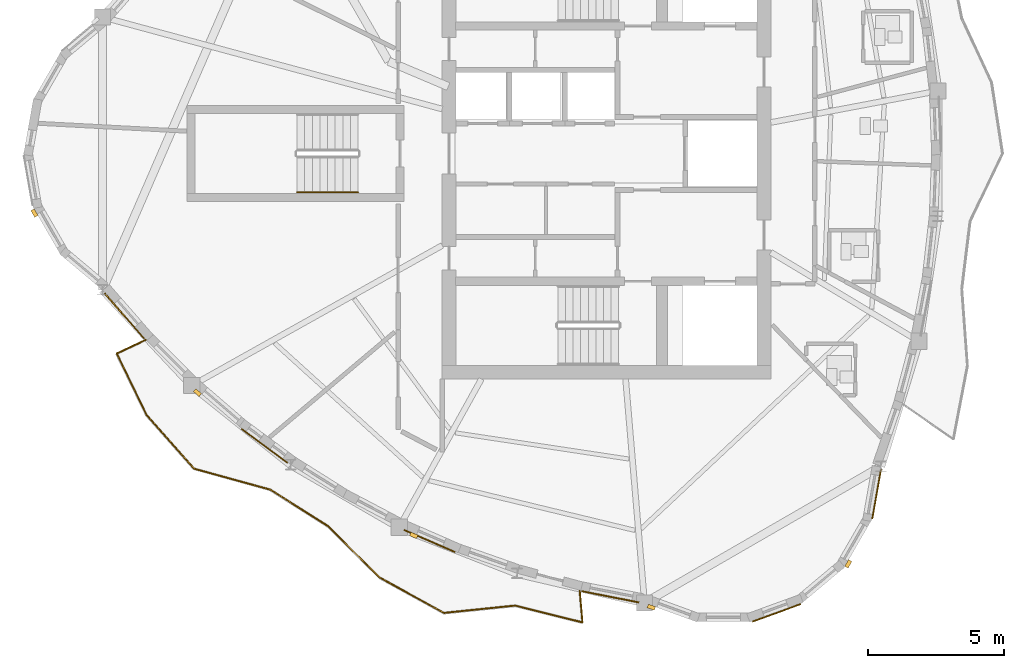
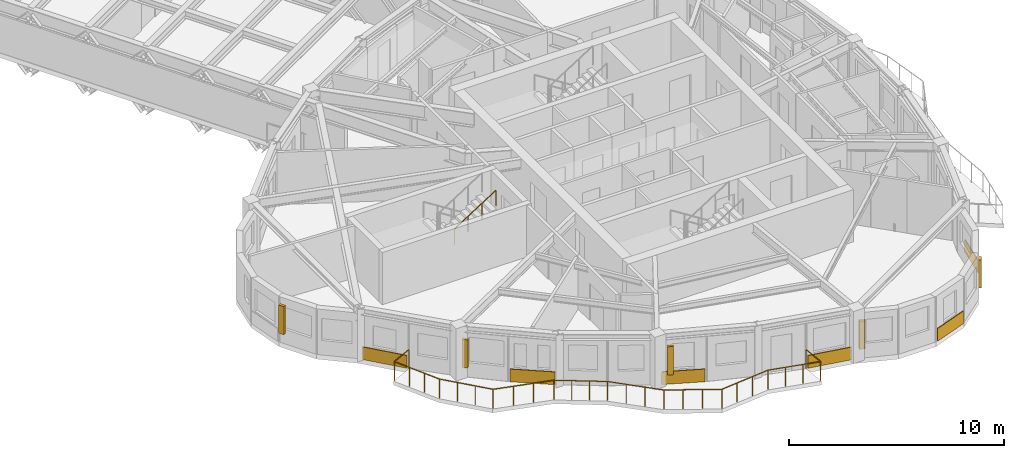
# One storey, part 11 of 14: 6 coverings, 5 shading devices, 2 railings.
"""IFC4 building model written with IfcOpenShell, lengths in metres."""

from ifc_helpers import new_model, si_unit, direction, frame, origin, origin_2d, place, context, subcontext, project, spatial, rectangle, circle, extrude, source, transform, mapped, material, layer, layer_set, type_object, element, save


model = new_model("IFC4")

# Units and contexts
model_context = context("Model", 3, precision=1e-05, world=origin(), true_north=direction((0.0, 1.0)))
body_context = subcontext(model_context, "Body", "Model", "MODEL_VIEW")
ifc_project = project(units=[si_unit("LENGTHUNIT", "METRE"), si_unit("AREAUNIT", "SQUARE_METRE"), si_unit("VOLUMEUNIT", "CUBIC_METRE"), si_unit("PLANEANGLEUNIT", "RADIAN"), si_unit("MASSUNIT", "GRAM", prefix="KILO")], contexts=[model_context])

# Site, building, storey
site_placement = place(None, origin())
site = spatial("IfcSite", under=ifc_project, at=site_placement, CompositionType="ELEMENT")
building_placement = place(site_placement, origin())
building = spatial("IfcBuilding", under=site, at=building_placement, Name="Qafzar Sky-Pleat Residences", CompositionType="ELEMENT")
storey_placement = place(building_placement, frame((0.0, 0.0, 211.60009765625)))
storey = spatial("IfcBuildingStorey", under=building, at=storey_placement, Name="L63", CompositionType="ELEMENT", Elevation=211.60009765625)

# Shading devices
ifc_material_1 = material(Name="Honed Riyadh limestone solar fin", Category="masonry")
ifc_layer_1 = layer(ifc_material_1, 0.139892578125)
ifc_layer_set_1 = layer_set([ifc_layer_1], Name="Honed Riyadh limestone solar fin")
shading_device_type = type_object("IfcShadingDeviceType", Name="SHD-FIN-STONE", PredefinedType="SHUTTER", material=ifc_layer_set_1)
shared_shape_1 = source(origin(), body_context, "Body", "SweptSolid", [
    extrude(rectangle(XDim=0.139892578125, YDim=0.280029296875, at=origin_2d()), origin(), (0.0, 0.0, 1.0), 1.60009765625),
])
for number, where, z_axis, x_axis, name in (
    (1, (9.28955078125, 23.80859375, 0.599853515625), (0.0, 0.0, 1.0), (-0.86604422228, -0.499967403994, 0.0), "L63 Limestone Solar Fin 5"),
    (2, (15.291015625, 17.1962890625, 0.599853515625), (0.0, 0.0, 1.0), (-0.652839263747, -0.757496465807, 0.0), "L63 Limestone Solar Fin 9"),
    (3, (23.255615234375, 11.939208984375, 0.599853515625), (0.0, 0.0, 1.0), (-0.398680391658, -0.917089933053, 0.0), "L63 Limestone Solar Fin 13"),
    (4, (31.999267578125, 9.295654296875, 0.599853515625), (0.0, 0.0, 1.0), (-0.342053959704, -0.939680311942, 0.0), "L63 Limestone Solar Fin 17"),
    (5, (39.2529296875, 10.891845703125, 0.599853515625), (0.0, 0.0, 1.0), (0.86603181203, -0.499988900429, 0.0), "L63 Limestone Solar Fin 21"),
):
    element("IfcShadingDevice", number, at=place(storey_placement, frame(where, z_axis=z_axis, x_axis=x_axis)), inside=storey, type_object=shading_device_type, Name=name, PredefinedType="SHUTTER", context=body_context, shape_type="MappedRepresentation", body=[
        mapped(shared_shape_1, transform((0.0, 0.0, 0.0), x_axis=(1.0, 0.0, 0.0), y_axis=(0.0, 1.0, 0.0), z_axis=(0.0, 0.0, 1.0), scale=1.0)),
    ])

# Coverings
ifc_material_2 = material(Name="Honed Riyadh Tuwaiq limestone cladding", Category="masonry")
ifc_layer_2 = layer(ifc_material_2, 0.044921875)
ifc_layer_set_2 = layer_set([ifc_layer_2], Name="Honed Riyadh Tuwaiq limestone cladding")
covering_type = type_object("IfcCoveringType", Name="COV-CLAD-STONE", PredefinedType="CLADDING", material=ifc_layer_set_2)
shared_shape_2 = source(origin(), body_context, "Body", "SweptSolid", [
    extrude(rectangle(XDim=1.88134765625, YDim=0.044921875, at=origin_2d()), origin(), (0.0, 0.0, 1.0), 0.719970703125),
])
covering_1_placement = place(storey_placement, frame((36.61376953125, 9.08935546875, 0.02001953125), z_axis=(0.0, 0.0, 1.0), x_axis=(0.939694209735, 0.342015777694, 0.0)))
element("IfcCovering", 6, at=covering_1_placement, inside=storey, type_object=covering_type, Name="L63 Riyadh Limestone Spandrel Cladding 19", PredefinedType="CLADDING", context=body_context, shape_type="MappedRepresentation", body=[
    mapped(shared_shape_2, transform((0.0, 0.0, 0.0), x_axis=(1.0, 0.0, 0.0), y_axis=(0.0, 1.0, 0.0), z_axis=(0.0, 0.0, 1.0), scale=1.0)),
])
shared_shape_3 = source(origin(), body_context, "Body", "SweptSolid", [
    extrude(rectangle(XDim=1.8291015625, YDim=0.044921875, at=origin_2d()), origin(), (0.0, 0.0, 1.0), 0.719970703125),
])
covering_2_placement = place(storey_placement, frame((40.294189453125, 13.453369140625, 0.02001953125), z_axis=(0.0, 0.0, 1.0), x_axis=(0.173695508338, 0.984799406165, 0.0)))
element("IfcCovering", 7, at=covering_2_placement, inside=storey, type_object=covering_type, Name="L63 Riyadh Limestone Spandrel Cladding 22", PredefinedType="CLADDING", context=body_context, shape_type="MappedRepresentation", body=[
    mapped(shared_shape_3, transform((0.0, 0.0, 0.0), x_axis=(1.0, 0.0, 0.0), y_axis=(0.0, 1.0, 0.0), z_axis=(0.0, 0.0, 1.0), scale=1.0)),
])

# Railing
ifc_material_3 = material(Name="Laminated glass and bronze steel balustrade", Category="steel")
railing_type_1 = type_object("IfcRailingType", Name="RAIL-BAL-1100", PredefinedType="BALUSTRADE", material=ifc_material_3)
shared_shape_4 = source(origin(), body_context, "Body", "SweptSolid", [
    extrude(circle(Radius=0.02392578125, at=origin_2d()), frame((0.0, 0.0, 1.076171875), z_axis=(-0.905142554346, -0.425108170131, 0.0), x_axis=(0.425108170131, -0.905142554346, 0.0)), (0.0, 0.0, 1.0), 1.177978515625),
    extrude(circle(Radius=0.02392578125, at=origin_2d()), frame((-1.066162109375, -0.500732421875, 1.076171875), z_axis=(0.437343392561, -0.899294588543, 0.0), x_axis=(0.899294588543, 0.437343392561, 0.0)), (0.0, 0.0, 1.0), 2.530029296875),
    extrude(circle(Radius=0.02392578125, at=origin_2d()), frame((0.040283203125, -2.77587890625, 1.076171875), z_axis=(0.663752158726, -0.74795258659, 0.0), x_axis=(0.74795258659, 0.663752158726, 0.0)), (0.0, 0.0, 1.0), 2.626953125),
    extrude(circle(Radius=0.02392578125, at=origin_2d()), frame((1.783935546875, -4.74072265625, 1.076171875), z_axis=(0.964116962328, -0.26547783891, 0.0), x_axis=(0.26547783891, 0.964116962328, 0.0)), (0.0, 0.0, 1.0), 2.913330078125),
    extrude(circle(Radius=0.02392578125, at=origin_2d()), frame((4.5927734375, -5.51416015625, 1.076171875), z_axis=(0.844768889997, -0.535131313318, 0.0), x_axis=(0.535131313318, 0.844768889997, 0.0)), (0.0, 0.0, 1.0), 2.492431640625),
    extrude(circle(Radius=0.02392578125, at=origin_2d()), frame((6.6982421875, -6.847900390625, 1.076171875), z_axis=(0.710393397684, -0.703804817067, 0.0), x_axis=(0.703804817067, 0.710393397684, 0.0)), (0.0, 0.0, 1.0), 2.705078125),
    extrude(circle(Radius=0.02392578125, at=origin_2d()), frame((8.619873046875, -8.751708984375, 1.076171875), z_axis=(0.876175728039, -0.481991798266, 0.0), x_axis=(0.481991798266, 0.876175728039, 0.0)), (0.0, 0.0, 1.0), 2.694091796875),
    extrude(circle(Radius=0.02392578125, at=origin_2d()), frame((10.98046875, -10.05029296875, 1.076171875), z_axis=(0.994700616791, 0.102813826673, 0.0), x_axis=(-0.102813826673, 0.994700616791, 0.0)), (0.0, 0.0, 1.0), 2.6357421875),
    extrude(circle(Radius=0.02392578125, at=origin_2d()), frame((13.602294921875, -9.779296875, 1.076171875), z_axis=(0.970086186888, -0.242760767029, 0.0), x_axis=(0.242760767029, 0.970086186888, 0.0)), (0.0, 0.0, 1.0), 2.551513671875),
    extrude(circle(Radius=0.02392578125, at=origin_2d()), frame((16.077392578125, -10.398681640625, 1.076171875), z_axis=(-0.084348911434, 0.996436280522, 0.0), x_axis=(-0.996436280522, -0.084348911434, 0.0)), (0.0, 0.0, 1.0), 1.177978515625),
    extrude(circle(Radius=0.02099609375, at=origin_2d()), origin(), (0.0, 0.0, 1.0), 1.052001953125),
    extrude(circle(Radius=0.02099609375, at=origin_2d()), frame((-1.066162109375, -0.500732421875, 0.0)), (0.0, 0.0, 1.0), 1.052001953125),
    extrude(circle(Radius=0.02099609375, at=origin_2d()), frame((-0.697265625, -1.259033203125, 0.0)), (0.0, 0.0, 1.0), 1.052001953125),
    extrude(circle(Radius=0.02099609375, at=origin_2d()), frame((-0.32861328125, -2.017578125, 0.0)), (0.0, 0.0, 1.0), 1.052001953125),
    extrude(circle(Radius=0.02099609375, at=origin_2d()), frame((0.040283203125, -2.77587890625, 0.0)), (0.0, 0.0, 1.0), 1.052001953125),
    extrude(circle(Radius=0.02099609375, at=origin_2d()), frame((0.62158203125, -3.430908203125, 0.0)), (0.0, 0.0, 1.0), 1.052001953125),
    extrude(circle(Radius=0.02099609375, at=origin_2d()), frame((1.20263671875, -4.085693359375, 0.0)), (0.0, 0.0, 1.0), 1.052001953125),
    extrude(circle(Radius=0.02099609375, at=origin_2d()), frame((1.783935546875, -4.74072265625, 0.0)), (0.0, 0.0, 1.0), 1.052001953125),
    extrude(circle(Radius=0.02099609375, at=origin_2d()), frame((2.72021484375, -4.99853515625, 0.0)), (0.0, 0.0, 1.0), 1.052001953125),
    extrude(circle(Radius=0.02099609375, at=origin_2d()), frame((3.656494140625, -5.25634765625, 0.0)), (0.0, 0.0, 1.0), 1.052001953125),
    extrude(circle(Radius=0.02099609375, at=origin_2d()), frame((4.5927734375, -5.51416015625, 0.0)), (0.0, 0.0, 1.0), 1.052001953125),
    extrude(circle(Radius=0.02099609375, at=origin_2d()), frame((5.294677734375, -5.958740234375, 0.0)), (0.0, 0.0, 1.0), 1.052001953125),
    extrude(circle(Radius=0.02099609375, at=origin_2d()), frame((5.996337890625, -6.4033203125, 0.0)), (0.0, 0.0, 1.0), 1.052001953125),
    extrude(circle(Radius=0.02099609375, at=origin_2d()), frame((6.6982421875, -6.847900390625, 0.0)), (0.0, 0.0, 1.0), 1.052001953125),
    extrude(circle(Radius=0.02099609375, at=origin_2d()), frame((7.3388671875, -7.482421875, 0.0)), (0.0, 0.0, 1.0), 1.052001953125),
    extrude(circle(Radius=0.02099609375, at=origin_2d()), frame((7.979248046875, -8.1171875, 0.0)), (0.0, 0.0, 1.0), 1.052001953125),
    extrude(circle(Radius=0.02099609375, at=origin_2d()), frame((8.619873046875, -8.751708984375, 0.0)), (0.0, 0.0, 1.0), 1.052001953125),
    extrude(circle(Radius=0.02099609375, at=origin_2d()), frame((9.40673828125, -9.1845703125, 0.0)), (0.0, 0.0, 1.0), 1.052001953125),
    extrude(circle(Radius=0.02099609375, at=origin_2d()), frame((10.193603515625, -9.617431640625, 0.0)), (0.0, 0.0, 1.0), 1.052001953125),
    extrude(circle(Radius=0.02099609375, at=origin_2d()), frame((10.98046875, -10.05029296875, 0.0)), (0.0, 0.0, 1.0), 1.052001953125),
    extrude(circle(Radius=0.02099609375, at=origin_2d()), frame((11.8544921875, -9.9599609375, 0.0)), (0.0, 0.0, 1.0), 1.052001953125),
    extrude(circle(Radius=0.02099609375, at=origin_2d()), frame((12.728271484375, -9.86962890625, 0.0)), (0.0, 0.0, 1.0), 1.052001953125),
    extrude(circle(Radius=0.02099609375, at=origin_2d()), frame((13.602294921875, -9.779296875, 0.0)), (0.0, 0.0, 1.0), 1.052001953125),
    extrude(circle(Radius=0.02099609375, at=origin_2d()), frame((14.42724609375, -9.98583984375, 0.0)), (0.0, 0.0, 1.0), 1.052001953125),
    extrude(circle(Radius=0.02099609375, at=origin_2d()), frame((15.25244140625, -10.192138671875, 0.0)), (0.0, 0.0, 1.0), 1.052001953125),
    extrude(circle(Radius=0.02099609375, at=origin_2d()), frame((16.077392578125, -10.398681640625, 0.0)), (0.0, 0.0, 1.0), 1.052001953125),
    extrude(circle(Radius=0.02099609375, at=origin_2d()), frame((15.97802734375, -9.224853515625, 0.0)), (0.0, 0.0, 1.0), 1.052001953125),
])
railing_1_placement = place(storey_placement, frame((13.3857421875, 19.13720703125, 0.0)))
element("IfcRailing", 8, at=railing_1_placement, inside=storey, type_object=railing_type_1, Name="L63 Pleated Balcony 2 Balustrade", PredefinedType="BALUSTRADE", context=body_context, shape_type="MappedRepresentation", body=[
    mapped(shared_shape_4, transform((0.0, 0.0, 0.0), x_axis=(1.0, 0.0, 0.0), y_axis=(0.0, 1.0, 0.0), z_axis=(0.0, 0.0, 1.0), scale=1.0)),
])

# Coverings
shared_shape_5 = source(origin(), body_context, "Body", "SweptSolid", [
    extrude(rectangle(XDim=2.208251953125, YDim=0.044921875, at=origin_2d()), origin(), (0.0, 0.0, 1.0), 0.719970703125),
])
covering_3_placement = place(storey_placement, frame((12.598388671875, 20.0234375, 0.02001953125), z_axis=(0.0, 0.0, 1.0), x_axis=(0.657615428033, -0.753353800556, 0.0)))
element("IfcCovering", 9, at=covering_3_placement, inside=storey, type_object=covering_type, Name="L63 Riyadh Limestone Spandrel Cladding 7", PredefinedType="CLADDING", context=body_context, shape_type="MappedRepresentation", body=[
    mapped(shared_shape_5, transform((0.0, 0.0, 0.0), x_axis=(1.0, 0.0, 0.0), y_axis=(0.0, 1.0, 0.0), z_axis=(0.0, 0.0, 1.0), scale=1.0)),
])
shared_shape_6 = source(origin(), body_context, "Body", "SweptSolid", [
    extrude(rectangle(XDim=2.103759765625, YDim=0.044921875, at=origin_2d()), origin(), (0.0, 0.0, 1.0), 0.719970703125),
])
covering_4_placement = place(storey_placement, frame((17.758544921875, 15.2373046875, 0.02001953125), z_axis=(0.0, 0.0, 1.0), x_axis=(0.803818578384, -0.594874518739, 0.0)))
element("IfcCovering", 10, at=covering_4_placement, inside=storey, type_object=covering_type, Name="L63 Riyadh Limestone Spandrel Cladding 10", PredefinedType="CLADDING", context=body_context, shape_type="MappedRepresentation", body=[
    mapped(shared_shape_6, transform((0.0, 0.0, 0.0), x_axis=(1.0, 0.0, 0.0), y_axis=(0.0, 1.0, 0.0), z_axis=(0.0, 0.0, 1.0), scale=1.0)),
])
shared_shape_7 = source(origin(), body_context, "Body", "SweptSolid", [
    extrude(rectangle(XDim=2.040771484375, YDim=0.044921875, at=origin_2d()), origin(), (0.0, 0.0, 1.0), 0.719970703125),
])
covering_5_placement = place(storey_placement, frame((23.83203125, 11.7353515625, 0.02001953125), z_axis=(0.0, 0.0, 1.0), x_axis=(0.91708407899, -0.398693857568, 0.0)))
element("IfcCovering", 11, at=covering_5_placement, inside=storey, type_object=covering_type, Name="L63 Riyadh Limestone Spandrel Cladding 13", PredefinedType="CLADDING", context=body_context, shape_type="MappedRepresentation", body=[
    mapped(shared_shape_7, transform((0.0, 0.0, 0.0), x_axis=(1.0, 0.0, 0.0), y_axis=(0.0, 1.0, 0.0), z_axis=(0.0, 0.0, 1.0), scale=1.0)),
])
shared_shape_8 = source(origin(), body_context, "Body", "SweptSolid", [
    extrude(rectangle(XDim=2.145263671875, YDim=0.044921875, at=origin_2d()), origin(), (0.0, 0.0, 1.0), 0.719970703125),
])
covering_6_placement = place(storey_placement, frame((30.490478515625, 9.68017578125, 0.02001953125), z_axis=(0.0, 0.0, 1.0), x_axis=(0.98123195438, -0.192831148168, 0.0)))
element("IfcCovering", 12, at=covering_6_placement, inside=storey, type_object=covering_type, Name="L63 Riyadh Limestone Spandrel Cladding 16", PredefinedType="CLADDING", context=body_context, shape_type="MappedRepresentation", body=[
    mapped(shared_shape_8, transform((0.0, 0.0, 0.0), x_axis=(1.0, 0.0, 0.0), y_axis=(0.0, 1.0, 0.0), z_axis=(0.0, 0.0, 1.0), scale=1.0)),
])

# Railing
ifc_material_4 = material(Name="Brushed stainless steel handrail", Category="steel")
railing_type_2 = type_object("IfcRailingType", Name="RAIL-STAIR-HAND", PredefinedType="HANDRAIL", material=ifc_material_4)
shared_shape_9 = source(origin(), body_context, "Body", "SweptSolid", [
    extrude(circle(Radius=0.02392578125, at=origin_2d()), frame((0.0, 0.0, 0.8759765625), z_axis=(0.84418770128, 0.0, 0.536047689118), x_axis=(0.0, 1.0, 0.0)), (0.0, 0.0, 1.0), 2.6533203125),
    extrude(circle(Radius=0.02099609375, at=origin_2d()), origin(), (0.0, 0.0, 1.0), 0.851806640625),
    extrude(circle(Radius=0.02099609375, at=origin_2d()), frame((0.74658203125, 0.0, 0.47412109375)), (0.0, 0.0, 1.0), 0.851806640625),
    extrude(circle(Radius=0.02099609375, at=origin_2d()), frame((1.493408203125, 0.0, 0.9482421875)), (0.0, 0.0, 1.0), 0.851806640625),
    extrude(circle(Radius=0.02099609375, at=origin_2d()), frame((2.239990234375, 0.0, 1.42236328125)), (0.0, 0.0, 1.0), 0.851806640625),
])
railing_2_placement = place(storey_placement, frame((18.9599609375, 24.574951171875, 1.777587890625)))
element("IfcRailing", 13, at=railing_2_placement, inside=storey, type_object=railing_type_2, Name="L63 ST3 stair handrail 2", PredefinedType="HANDRAIL", context=body_context, shape_type="MappedRepresentation", body=[
    mapped(shared_shape_9, transform((0.0, 0.0, 0.0), x_axis=(1.0, 0.0, 0.0), y_axis=(0.0, 1.0, 0.0), z_axis=(0.0, 0.0, 1.0), scale=1.0)),
])

save(model, "model.ifc")
